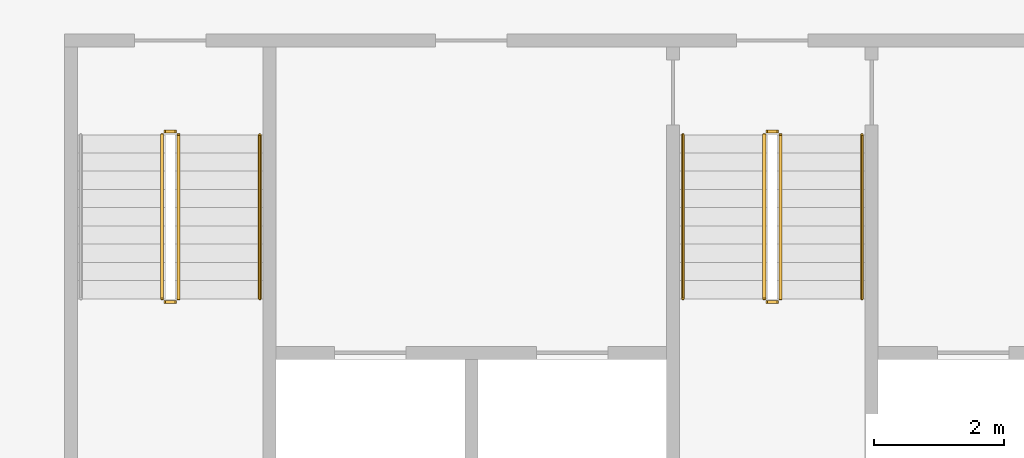
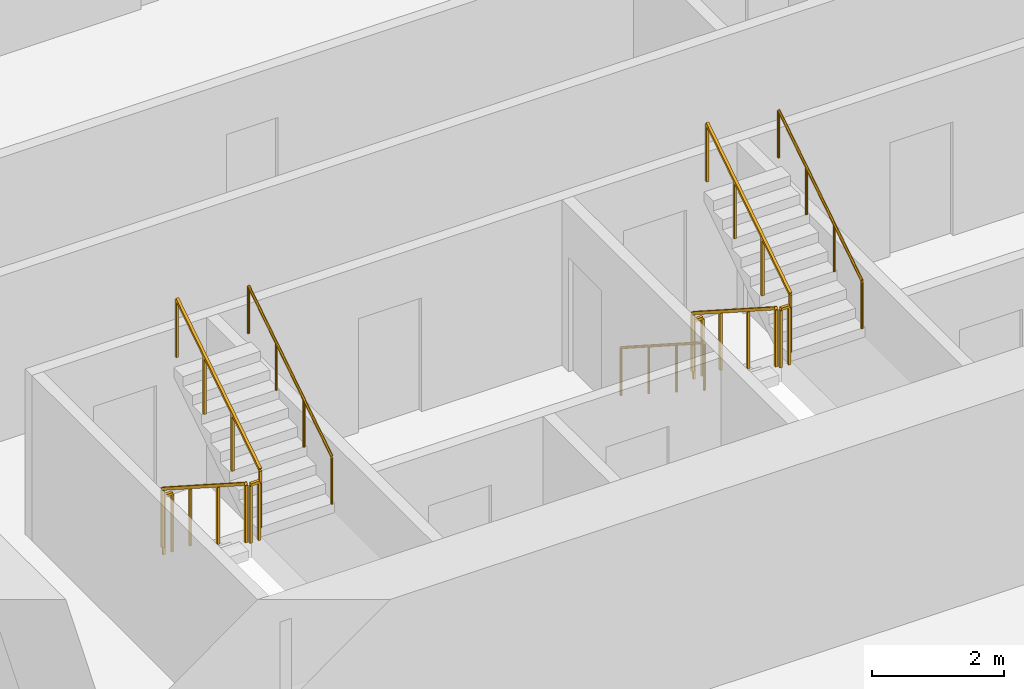
# One storey, part 14 of 16: 11 railings.
"""IFC4 building model written with IfcOpenShell, lengths in metres."""

from ifc_helpers import new_model, si_unit, direction, frame, origin, origin_2d, place, context, subcontext, project, spatial, rectangle, circle, extrude, material, type_object, element, save


model = new_model("IFC4")

# Units and contexts
model_context = context("Model", 3, precision=1e-05, world=origin(), true_north=direction((0.0, 1.0)))
body_context = subcontext(model_context, "Body", "Model", "MODEL_VIEW")
ifc_project = project(units=[si_unit("LENGTHUNIT", "METRE"), si_unit("AREAUNIT", "SQUARE_METRE"), si_unit("VOLUMEUNIT", "CUBIC_METRE"), si_unit("PLANEANGLEUNIT", "RADIAN"), si_unit("MASSUNIT", "GRAM", prefix="KILO")], contexts=[model_context])

# Site, building, storey
site_placement = place(None, origin())
site = spatial("IfcSite", under=ifc_project, at=site_placement, CompositionType="ELEMENT")
building_placement = place(site_placement, origin())
building = spatial("IfcBuilding", under=site, at=building_placement, Name="Mangrove Gate Tower", CompositionType="ELEMENT")
storey_placement = place(building_placement, frame((0.0, 0.0, 130.10009765625)))
storey = spatial("IfcBuildingStorey", under=building, at=storey_placement, Name="L32", CompositionType="ELEMENT", Elevation=130.10009765625)

# Railings
ifc_material_1 = material(Name="Stainless steel 316", Category="steel")
railing_type_1 = type_object("IfcRailingType", Name="Core stair guard 1100", PredefinedType="GUARDRAIL", material=ifc_material_1)
railing_1_placement = place(storey_placement, frame((-9.39990234375, -4.64990234375, 0.179931640625)))
element("IfcRailing", 1, at=railing_1_placement, inside=storey, type_object=railing_type_1, Name="L32 ST1 stair guard 1", PredefinedType="GUARDRAIL", context=body_context, shape_type="SweptSolid", body=[
    extrude(rectangle(XDim=0.048095703125, YDim=0.048095703125, at=origin_2d()), frame((0.0, 0.0, 1.076171875), z_axis=(0.0, -0.841199657755, 0.540724639528), x_axis=(1.0, 0.0, 0.0)), (0.0, 0.0, 1.0), 2.995849609375),
    extrude(rectangle(XDim=0.0419921875, YDim=0.0419921875, at=origin_2d()), origin(), (0.0, 0.0, 1.0), 1.052001953125),
    extrude(rectangle(XDim=0.0419921875, YDim=0.0419921875, at=origin_2d()), frame((0.0, -0.840087890625, 0.5400390625)), (0.0, 0.0, 1.0), 1.052001953125),
    extrude(rectangle(XDim=0.0419921875, YDim=0.0419921875, at=origin_2d()), frame((0.0, -1.679931640625, 1.079833984375)), (0.0, 0.0, 1.0), 1.052001953125),
    extrude(rectangle(XDim=0.0419921875, YDim=0.0419921875, at=origin_2d()), frame((0.0, -2.52001953125, 1.619873046875)), (0.0, 0.0, 1.0), 1.052001953125),
])
railing_2_placement = place(storey_placement, frame((-9.35009765625, -7.219970703125, 1.7998046875)))
element("IfcRailing", 2, at=railing_2_placement, inside=storey, type_object=railing_type_1, Name="L32 ST1 stair guard 2", PredefinedType="GUARDRAIL", context=body_context, shape_type="SweptSolid", body=[
    extrude(rectangle(XDim=0.048095703125, YDim=0.048095703125, at=origin_2d()), frame((0.0, 0.0, 1.076171875), z_axis=(1.0, 0.0, 0.0), x_axis=(0.0, 1.0, 0.0)), (0.0, 0.0, 1.0), 0.150146484375),
    extrude(rectangle(XDim=0.0419921875, YDim=0.0419921875, at=origin_2d()), origin(), (0.0, 0.0, 1.0), 1.052001953125),
    extrude(rectangle(XDim=0.0419921875, YDim=0.0419921875, at=origin_2d()), frame((0.150146484375, 0.0, 0.0)), (0.0, 0.0, 1.0), 1.052001953125),
])
railing_3_placement = place(storey_placement, frame((-9.14990234375, -7.169921875, 1.97998046875)))
element("IfcRailing", 3, at=railing_3_placement, inside=storey, type_object=railing_type_1, Name="L32 ST1 stair guard 3", PredefinedType="GUARDRAIL", context=body_context, shape_type="SweptSolid", body=[
    extrude(rectangle(XDim=0.048095703125, YDim=0.048095703125, at=origin_2d()), frame((0.0, 0.0, 1.076171875), z_axis=(0.0, 0.841199657755, 0.540724639528), x_axis=(-1.0, 0.0, 0.0)), (0.0, 0.0, 1.0), 2.995849609375),
    extrude(rectangle(XDim=0.0419921875, YDim=0.0419921875, at=origin_2d()), origin(), (0.0, 0.0, 1.0), 1.052001953125),
    extrude(rectangle(XDim=0.0419921875, YDim=0.0419921875, at=origin_2d()), frame((0.0, 0.840087890625, 0.5400390625)), (0.0, 0.0, 1.0), 1.052001953125),
    extrude(rectangle(XDim=0.0419921875, YDim=0.0419921875, at=origin_2d()), frame((0.0, 1.679931640625, 1.079833984375)), (0.0, 0.0, 1.0), 1.052001953125),
    extrude(rectangle(XDim=0.0419921875, YDim=0.0419921875, at=origin_2d()), frame((0.0, 2.52001953125, 1.619873046875)), (0.0, 0.0, 1.0), 1.052001953125),
])
railing_4_placement = place(storey_placement, frame((-9.35009765625, -4.60009765625, 0.0)))
element("IfcRailing", 4, at=railing_4_placement, inside=storey, type_object=railing_type_1, Name="L32 ST1 stair guard 4", PredefinedType="GUARDRAIL", context=body_context, shape_type="SweptSolid", body=[
    extrude(rectangle(XDim=0.048095703125, YDim=0.048095703125, at=origin_2d()), frame((0.0, 0.0, 1.076171875), z_axis=(1.0, 0.0, 0.0), x_axis=(0.0, 1.0, 0.0)), (0.0, 0.0, 1.0), 0.150146484375),
    extrude(rectangle(XDim=0.0419921875, YDim=0.0419921875, at=origin_2d()), origin(), (0.0, 0.0, 1.0), 1.052001953125),
    extrude(rectangle(XDim=0.0419921875, YDim=0.0419921875, at=origin_2d()), frame((0.150146484375, 0.0, 0.0)), (0.0, 0.0, 1.0), 1.052001953125),
])
railing_5_placement = place(storey_placement, frame((-0.14990234375, -4.64990234375, 0.179931640625)))
element("IfcRailing", 5, at=railing_5_placement, inside=storey, type_object=railing_type_1, Name="L32 ST2 stair guard 1", PredefinedType="GUARDRAIL", context=body_context, shape_type="SweptSolid", body=[
    extrude(rectangle(XDim=0.048095703125, YDim=0.048095703125, at=origin_2d()), frame((0.0, 0.0, 1.076171875), z_axis=(0.0, -0.841199657755, 0.540724639528), x_axis=(1.0, 0.0, 0.0)), (0.0, 0.0, 1.0), 2.995849609375),
    extrude(rectangle(XDim=0.0419921875, YDim=0.0419921875, at=origin_2d()), origin(), (0.0, 0.0, 1.0), 1.052001953125),
    extrude(rectangle(XDim=0.0419921875, YDim=0.0419921875, at=origin_2d()), frame((0.0, -0.840087890625, 0.5400390625)), (0.0, 0.0, 1.0), 1.052001953125),
    extrude(rectangle(XDim=0.0419921875, YDim=0.0419921875, at=origin_2d()), frame((0.0, -1.679931640625, 1.079833984375)), (0.0, 0.0, 1.0), 1.052001953125),
    extrude(rectangle(XDim=0.0419921875, YDim=0.0419921875, at=origin_2d()), frame((0.0, -2.52001953125, 1.619873046875)), (0.0, 0.0, 1.0), 1.052001953125),
])
railing_6_placement = place(storey_placement, frame((-0.10009765625, -7.219970703125, 1.7998046875)))
element("IfcRailing", 6, at=railing_6_placement, inside=storey, type_object=railing_type_1, Name="L32 ST2 stair guard 2", PredefinedType="GUARDRAIL", context=body_context, shape_type="SweptSolid", body=[
    extrude(rectangle(XDim=0.048095703125, YDim=0.048095703125, at=origin_2d()), frame((0.0, 0.0, 1.076171875), z_axis=(1.0, 0.0, 0.0), x_axis=(0.0, 1.0, 0.0)), (0.0, 0.0, 1.0), 0.150146484375),
    extrude(rectangle(XDim=0.0419921875, YDim=0.0419921875, at=origin_2d()), origin(), (0.0, 0.0, 1.0), 1.052001953125),
    extrude(rectangle(XDim=0.0419921875, YDim=0.0419921875, at=origin_2d()), frame((0.150146484375, 0.0, 0.0)), (0.0, 0.0, 1.0), 1.052001953125),
])
railing_7_placement = place(storey_placement, frame((0.10009765625, -7.169921875, 1.97998046875)))
element("IfcRailing", 7, at=railing_7_placement, inside=storey, type_object=railing_type_1, Name="L32 ST2 stair guard 3", PredefinedType="GUARDRAIL", context=body_context, shape_type="SweptSolid", body=[
    extrude(rectangle(XDim=0.048095703125, YDim=0.048095703125, at=origin_2d()), frame((0.0, 0.0, 1.076171875), z_axis=(0.0, 0.841199657755, 0.540724639528), x_axis=(-1.0, 0.0, 0.0)), (0.0, 0.0, 1.0), 2.995849609375),
    extrude(rectangle(XDim=0.0419921875, YDim=0.0419921875, at=origin_2d()), origin(), (0.0, 0.0, 1.0), 1.052001953125),
    extrude(rectangle(XDim=0.0419921875, YDim=0.0419921875, at=origin_2d()), frame((0.0, 0.840087890625, 0.5400390625)), (0.0, 0.0, 1.0), 1.052001953125),
    extrude(rectangle(XDim=0.0419921875, YDim=0.0419921875, at=origin_2d()), frame((0.0, 1.679931640625, 1.079833984375)), (0.0, 0.0, 1.0), 1.052001953125),
    extrude(rectangle(XDim=0.0419921875, YDim=0.0419921875, at=origin_2d()), frame((0.0, 2.52001953125, 1.619873046875)), (0.0, 0.0, 1.0), 1.052001953125),
])
railing_8_placement = place(storey_placement, frame((-0.10009765625, -4.60009765625, 0.0)))
element("IfcRailing", 8, at=railing_8_placement, inside=storey, type_object=railing_type_1, Name="L32 ST2 stair guard 4", PredefinedType="GUARDRAIL", context=body_context, shape_type="SweptSolid", body=[
    extrude(rectangle(XDim=0.048095703125, YDim=0.048095703125, at=origin_2d()), frame((0.0, 0.0, 1.076171875), z_axis=(1.0, 0.0, 0.0), x_axis=(0.0, 1.0, 0.0)), (0.0, 0.0, 1.0), 0.150146484375),
    extrude(rectangle(XDim=0.0419921875, YDim=0.0419921875, at=origin_2d()), origin(), (0.0, 0.0, 1.0), 1.052001953125),
    extrude(rectangle(XDim=0.0419921875, YDim=0.0419921875, at=origin_2d()), frame((0.150146484375, 0.0, 0.0)), (0.0, 0.0, 1.0), 1.052001953125),
])
ifc_material_2 = material(Name="Stainless steel 316", Category="steel")
railing_type_2 = type_object("IfcRailingType", Name="Core stair handrail 900", PredefinedType="HANDRAIL", material=ifc_material_2)
railing_9_placement = place(storey_placement, frame((-7.89990234375, -7.169921875, 1.97998046875)))
element("IfcRailing", 9, at=railing_9_placement, inside=storey, type_object=railing_type_2, Name="L32 ST1 stair handrail 2", PredefinedType="HANDRAIL", context=body_context, shape_type="SweptSolid", body=[
    extrude(circle(Radius=0.02392578125, at=origin_2d()), frame((0.0, 0.0, 0.8759765625), z_axis=(0.0, 0.841199657755, 0.540724639528), x_axis=(-1.0, 0.0, 0.0)), (0.0, 0.0, 1.0), 2.995849609375),
    extrude(circle(Radius=0.02099609375, at=origin_2d()), origin(), (0.0, 0.0, 1.0), 0.851806640625),
    extrude(circle(Radius=0.02099609375, at=origin_2d()), frame((0.0, 0.840087890625, 0.5400390625)), (0.0, 0.0, 1.0), 0.851806640625),
    extrude(circle(Radius=0.02099609375, at=origin_2d()), frame((0.0, 1.679931640625, 1.079833984375)), (0.0, 0.0, 1.0), 0.851806640625),
    extrude(circle(Radius=0.02099609375, at=origin_2d()), frame((0.0, 2.52001953125, 1.619873046875)), (0.0, 0.0, 1.0), 0.851806640625),
])
railing_10_placement = place(storey_placement, frame((-1.39990234375, -4.64990234375, 0.179931640625)))
element("IfcRailing", 10, at=railing_10_placement, inside=storey, type_object=railing_type_2, Name="L32 ST2 stair handrail 1", PredefinedType="HANDRAIL", context=body_context, shape_type="SweptSolid", body=[
    extrude(circle(Radius=0.02392578125, at=origin_2d()), frame((0.0, 0.0, 0.8759765625), z_axis=(0.0, -0.841199657755, 0.540724639528), x_axis=(1.0, 0.0, 0.0)), (0.0, 0.0, 1.0), 2.995849609375),
    extrude(circle(Radius=0.02099609375, at=origin_2d()), origin(), (0.0, 0.0, 1.0), 0.851806640625),
    extrude(circle(Radius=0.02099609375, at=origin_2d()), frame((0.0, -0.840087890625, 0.5400390625)), (0.0, 0.0, 1.0), 0.851806640625),
    extrude(circle(Radius=0.02099609375, at=origin_2d()), frame((0.0, -1.679931640625, 1.079833984375)), (0.0, 0.0, 1.0), 0.851806640625),
    extrude(circle(Radius=0.02099609375, at=origin_2d()), frame((0.0, -2.52001953125, 1.619873046875)), (0.0, 0.0, 1.0), 0.851806640625),
])
railing_11_placement = place(storey_placement, frame((1.35009765625, -7.169921875, 1.97998046875)))
element("IfcRailing", 11, at=railing_11_placement, inside=storey, type_object=railing_type_2, Name="L32 ST2 stair handrail 2", PredefinedType="HANDRAIL", context=body_context, shape_type="SweptSolid", body=[
    extrude(circle(Radius=0.02392578125, at=origin_2d()), frame((0.0, 0.0, 0.8759765625), z_axis=(0.0, 0.841199657755, 0.540724639528), x_axis=(-1.0, 0.0, 0.0)), (0.0, 0.0, 1.0), 2.995849609375),
    extrude(circle(Radius=0.02099609375, at=origin_2d()), origin(), (0.0, 0.0, 1.0), 0.851806640625),
    extrude(circle(Radius=0.02099609375, at=origin_2d()), frame((0.0, 0.840087890625, 0.5400390625)), (0.0, 0.0, 1.0), 0.851806640625),
    extrude(circle(Radius=0.02099609375, at=origin_2d()), frame((0.0, 1.679931640625, 1.079833984375)), (0.0, 0.0, 1.0), 0.851806640625),
    extrude(circle(Radius=0.02099609375, at=origin_2d()), frame((0.0, 2.52001953125, 1.619873046875)), (0.0, 0.0, 1.0), 0.851806640625),
])

save(model, "model.ifc")
